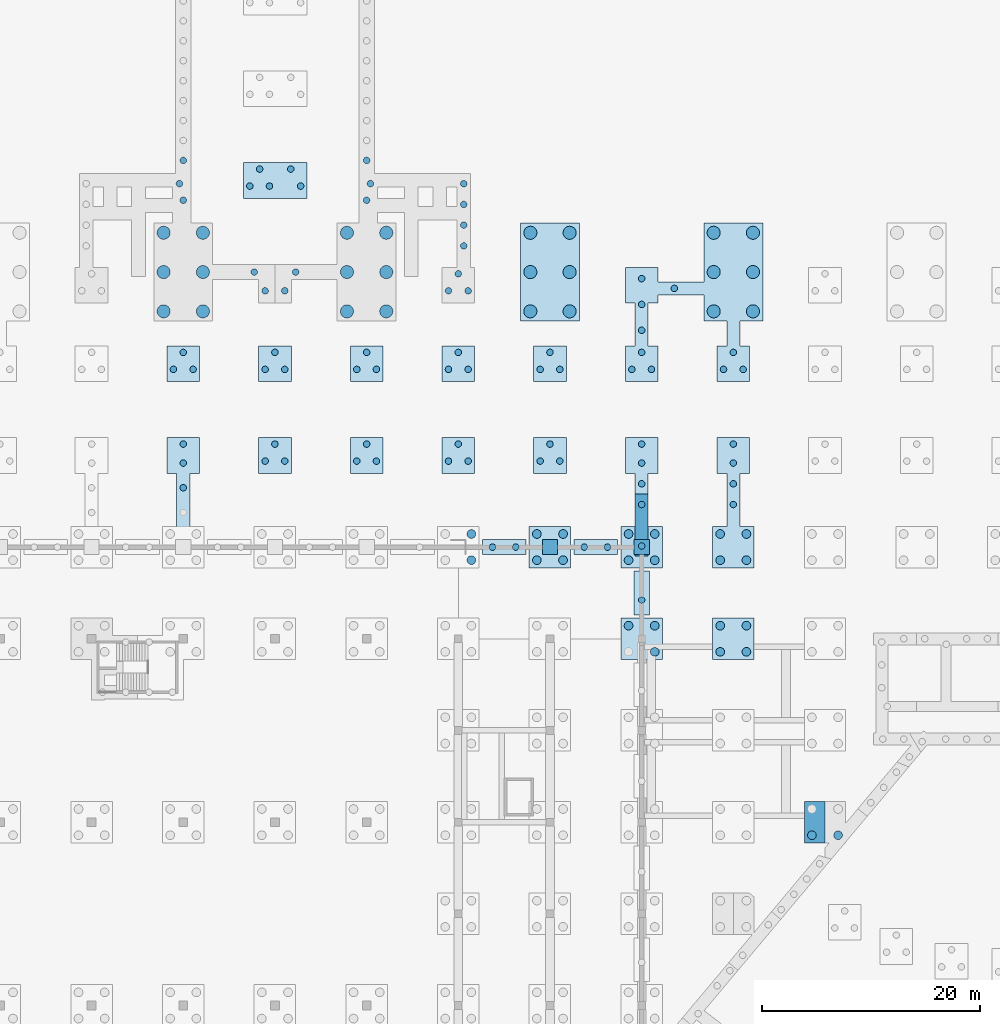
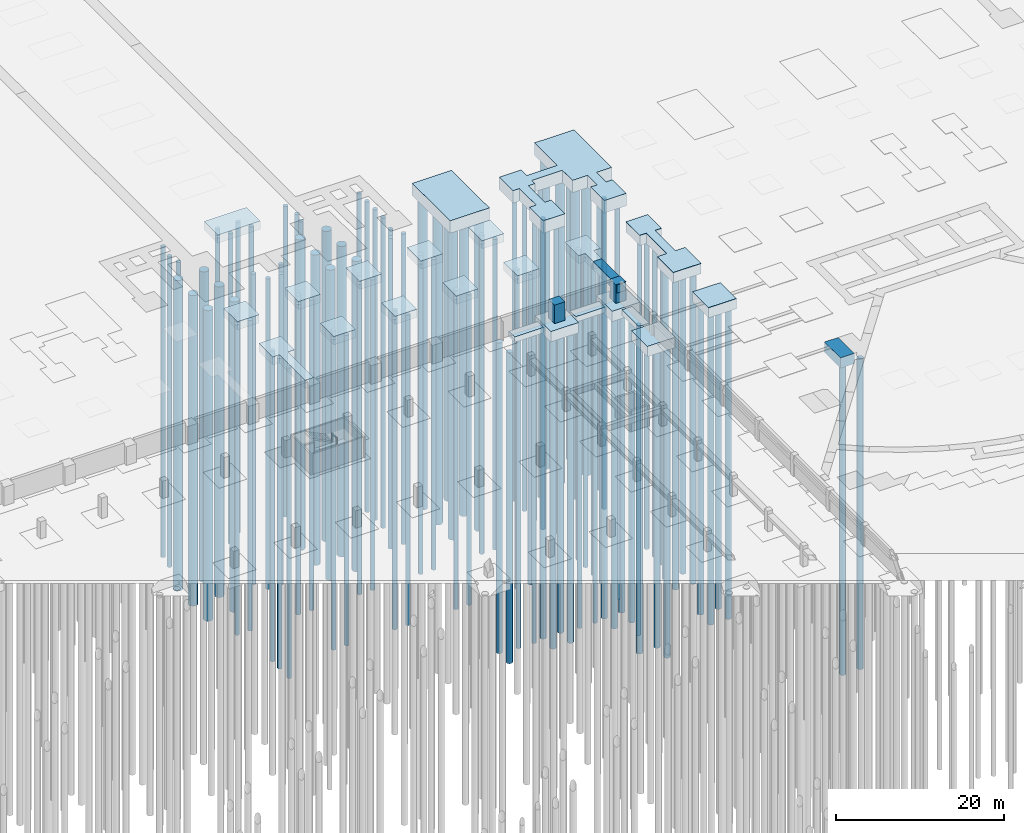
# One storey, part 10 of 67: 123 piles, 26 footings.
"""IFC4 building model written with IfcOpenShell, lengths in metres."""

import ifcopenshell
import ifcopenshell.guid

model = None  # the IFC model being written
_history = None  # IfcOwnerHistory: only IFC2X3 demands one
_inside = {}  # id of a spatial element -> (the spatial element, [elements in it])
_under = {}  # id of a project, library or spatial element -> (it, [spatial elements below it])
_declared = {}  # id of a project -> (the project, [libraries it declares])
_typed = {}  # id of a type object -> (the type object, [elements of that type])
_made_of = {}  # id of a material, layer set ... -> (it, [elements and type objects made of it])


def new_model(schema):
    """Start an empty IFC model of exactly this schema.

    Asked for "IFC4X3", IfcOpenShell would pick the latest addendum, in which some entities
    have other attributes; the version numbers below select the first issue.
    IFC2X3 requires an IfcOwnerHistory on every rooted entity: one is made here for all.
    """
    global model, _history
    if schema == "IFC4X3":
        model = ifcopenshell.file(schema_version=(4, 3, 0, 0))
    else:
        model = ifcopenshell.file(schema=schema)
    _inside.clear()
    _under.clear()
    _declared.clear()
    _typed.clear()
    _made_of.clear()
    _history = None
    if model.schema == "IFC2X3":
        org = make("IfcOrganization", Name="unknown")
        user = make(
            "IfcPersonAndOrganization",
            ThePerson=make("IfcPerson", FamilyName="unknown"),
            TheOrganization=org,
        )
        app = make(
            "IfcApplication",
            ApplicationDeveloper=org,
            Version="unknown",
            ApplicationFullName="unknown",
            ApplicationIdentifier="unknown",
        )
        _history = make(
            "IfcOwnerHistory",
            OwningUser=user,
            OwningApplication=app,
            ChangeAction="ADDED",
            CreationDate=0,
        )
    return model


def make(cls, **values):
    """One entity of the class cls with the attributes given. An attribute that is None is left unset."""
    return model.create_entity(
        cls, **{name: value for name, value in values.items() if value is not None}
    )


def rooted(cls, **values):
    """An entity with a GlobalId (a new one), such as an element, a storey or a relation."""
    return make(cls, GlobalId=ifcopenshell.guid.new(), OwnerHistory=_history, **values)


def si_unit(unit_type, name, prefix=None):
    """IfcSIUnit, for example si_unit("LENGTHUNIT", "METRE", prefix="MILLI")."""
    return make("IfcSIUnit", UnitType=unit_type, Prefix=prefix, Name=name)


def assignment(units):
    """IfcUnitAssignment: the units of a project."""
    return None if units is None else make("IfcUnitAssignment", Units=units)


def point(xyz):
    """IfcCartesianPoint."""
    return None if xyz is None else make("IfcCartesianPoint", Coordinates=xyz)


def direction(xyz):
    """IfcDirection."""
    return None if xyz is None else make("IfcDirection", DirectionRatios=xyz)


def frame(location, z_axis=None, x_axis=None):
    """IfcAxis2Placement3D, a coordinate frame: its origin and axes. An axis left out is left unset."""
    return make(
        "IfcAxis2Placement3D",
        Location=point(location),
        Axis=direction(z_axis),
        RefDirection=direction(x_axis),
    )


def frame_2d(location, x_axis=None):
    """IfcAxis2Placement2D, a coordinate frame in the plane: its origin and x axis."""
    return make(
        "IfcAxis2Placement2D", Location=point(location), RefDirection=direction(x_axis)
    )


def origin():
    """The frame at (0, 0, 0) with its axes left unset."""
    return frame((0.0, 0.0, 0.0))


def origin_2d():
    """The frame at (0, 0) in the plane with its x axis left unset."""
    return frame_2d((0.0, 0.0))


def place(relative_to, where):
    """IfcLocalPlacement: puts the frame where relative to a parent placement (None: the world)."""
    return make(
        "IfcLocalPlacement", PlacementRelTo=relative_to, RelativePlacement=where
    )


def context(
    kind, dimensions, precision=None, world=None, true_north=None, identifier=None
):
    """IfcGeometricRepresentationContext, for example the 3D "Model" context."""
    return make(
        "IfcGeometricRepresentationContext",
        ContextIdentifier=identifier,
        ContextType=kind,
        CoordinateSpaceDimension=dimensions,
        Precision=precision,
        WorldCoordinateSystem=world,
        TrueNorth=true_north,
    )


def subcontext(parent, identifier, kind, view, scale=None):
    """IfcGeometricRepresentationSubContext, for example "Body" below "Model"."""
    return make(
        "IfcGeometricRepresentationSubContext",
        ContextIdentifier=identifier,
        ContextType=kind,
        ParentContext=parent,
        TargetScale=scale,
        TargetView=view,
    )


def project(units=None, contexts=None):
    """IfcProject with its units and contexts."""
    return rooted(
        "IfcProject",
        Name="project",
        RepresentationContexts=contexts,
        UnitsInContext=assignment(units),
    )


def spatial(cls, under=None, at=None, **own):
    """A site, building, storey or space (cls), placed at a placement, below another one or the project."""
    s = rooted(cls, ObjectPlacement=at, **own)
    if under is not None:
        _under.setdefault(under.id(), (under, []))[1].append(s)
    return s


def polyline(points):
    """IfcPolyline through the points."""
    return make("IfcPolyline", Points=[point(p) for p in points])


def profile(cls, at=None, kind="AREA", **sizes):
    """A parametric profile (cls). Its sizes go by their IFC names, for example OverallWidth=200.0."""
    return make(cls, ProfileType=kind, Position=at, **sizes)


def circle(**sizes):
    """IfcCircleProfileDef."""
    return profile("IfcCircleProfileDef", **sizes)


def outline(outer, holes=None, kind="AREA"):
    """IfcArbitraryClosedProfileDef: a profile drawn as a closed curve; with holes, ...WithVoids."""
    if holes is None:
        return make("IfcArbitraryClosedProfileDef", ProfileType=kind, OuterCurve=outer)
    return make(
        "IfcArbitraryProfileDefWithVoids",
        ProfileType=kind,
        OuterCurve=outer,
        InnerCurves=holes,
    )


def extrude(swept, where, along, depth):
    """IfcExtrudedAreaSolid: the profile swept, set in the frame where, extruded along a direction by depth."""
    return make(
        "IfcExtrudedAreaSolid",
        SweptArea=swept,
        Position=where,
        ExtrudedDirection=direction(along),
        Depth=depth,
    )


def shape(context_of_items, identifier, shape_type, items):
    """IfcShapeRepresentation: the items that make up one representation, for example the "Body"."""
    return make(
        "IfcShapeRepresentation",
        ContextOfItems=context_of_items,
        RepresentationIdentifier=identifier,
        RepresentationType=shape_type,
        Items=items,
    )


def material(Name=None, Category=None):
    """IfcMaterial."""
    return make("IfcMaterial", Name=Name, Category=Category)


def material_profile(
    of_material, cross_section, Name=None, Category=None, Priority=None
):
    """IfcMaterialProfile: a cross section and its material."""
    return make(
        "IfcMaterialProfile",
        Name=Name,
        Material=of_material,
        Profile=cross_section,
        Priority=Priority,
        Category=Category,
    )


def profile_set(profiles, Name=None, composite=None):
    """IfcMaterialProfileSet."""
    return make(
        "IfcMaterialProfileSet",
        Name=Name,
        MaterialProfiles=profiles,
        CompositeProfile=composite,
    )


def made_of(thing, what):
    """Note that an element or type object is made of a material, layer set ...; save() writes the relation."""
    if what is not None:
        _made_of.setdefault(what.id(), (what, []))[1].append(thing)
    return thing


def type_object(cls, material=None, **own):
    """A type object (cls), such as IfcWallType, which elements share."""
    return made_of(rooted(cls, **own), material)


def element(
    cls,
    number,
    at=None,
    inside=None,
    cuts=None,
    type_object=None,
    material=None,
    context=None,
    identifier="Body",
    shape_type=None,
    held_by="IfcProductDefinitionShape",
    body=None,
    shapes=None,
    **own,
):
    """One element of the class cls, such as IfcWall. Its Tag is "e" and its number.

    at: its placement. inside: the storey or other place that contains it. cuts: it is an
    opening in that element (IfcRelVoidsElement). A single representation is given by context,
    identifier, shape_type and body (its items); several are given by shapes. held_by: the class
    of the entity that holds the representations. save() writes the other relations.
    """
    e = rooted(cls, Tag="e%d" % number, ObjectPlacement=at, **own)
    if body is not None:
        shapes = [shape(context, identifier, shape_type, body)]
    if shapes is not None:
        e.Representation = make(held_by, Representations=shapes)
    if inside is not None:
        _inside.setdefault(inside.id(), (inside, []))[1].append(e)
    if cuts is not None:
        rooted(
            "IfcRelVoidsElement", RelatingBuildingElement=cuts, RelatedOpeningElement=e
        )
    if type_object is not None:
        _typed.setdefault(type_object.id(), (type_object, []))[1].append(e)
    return made_of(e, material)


def aggregate(whole, parts):
    """IfcRelAggregates: a whole, such as a stair, and the parts it consists of."""
    return rooted("IfcRelAggregates", RelatingObject=whole, RelatedObjects=parts)


def save(model, path):
    """Write the relations noted so far, then the file.

    IfcRelAggregates (storeys below a building ...), IfcRelContainedInSpatialStructure (elements
    in a storey), IfcRelDefinesByType, IfcRelAssociatesMaterial and IfcRelDeclares: one each for
    every whole, place, type object, material and project.
    """
    for whole, parts in _under.values():
        aggregate(whole, parts)
    for where, things in _inside.values():
        rooted(
            "IfcRelContainedInSpatialStructure",
            RelatedElements=things,
            RelatingStructure=where,
        )
    for kind, things in _typed.values():
        rooted("IfcRelDefinesByType", RelatedObjects=things, RelatingType=kind)
    for what, things in _made_of.values():
        rooted("IfcRelAssociatesMaterial", RelatedObjects=things, RelatingMaterial=what)
    for by, libraries in _declared.values():
        rooted("IfcRelDeclares", RelatingContext=by, RelatedDefinitions=libraries)
    model.write(path)


model = new_model("IFC4")

# Units and contexts
model_context = context("Model", 3, precision=1e-05, world=origin(), true_north=direction((0.0, 1.0)))
body_context = subcontext(model_context, "Body", "Model", "MODEL_VIEW")
ifc_project = project(units=[si_unit("LENGTHUNIT", "METRE"), si_unit("AREAUNIT", "SQUARE_METRE"), si_unit("VOLUMEUNIT", "CUBIC_METRE"), si_unit("PLANEANGLEUNIT", "RADIAN"), si_unit("MASSUNIT", "GRAM", prefix="KILO")], contexts=[model_context])

# Site, building, storey
site_placement = place(None, origin())
site = spatial("IfcSite", under=ifc_project, at=site_placement, CompositionType="ELEMENT")
building_placement = place(site_placement, origin())
building = spatial("IfcBuilding", under=site, at=building_placement, Name="Rain Tree Exposition and Congress Centre", CompositionType="ELEMENT")
storey_placement = place(building_placement, frame((0.0, 0.0, -3.0)))
storey = spatial("IfcBuildingStorey", under=building, at=storey_placement, Name="B1", CompositionType="ELEMENT", Elevation=-3.0)

# Piles
ifc_material_1 = material(Name="Concrete C35/45", Category="concrete")
ifc_material_profile_1 = material_profile(ifc_material_1, circle(Radius=0.60009765625, at=origin_2d()), Name="D1200")
ifc_profile_set_1 = profile_set([ifc_material_profile_1], Name="Concrete C35/45")
pile_type_1 = type_object("IfcPileType", Name="Bored pile D1200", PredefinedType="BORED", material=ifc_profile_set_1)
for number, where, z_axis, x_axis, name in (
    (1, (124.199951171875, 97.199951171875, 0.92578125), (0.0, 0.0, -1.0), (1.0, 0.0, 0.0), "Bored pile 1749"),
    (2, (127.800048828125, 97.199951171875, 0.92578125), (0.0, 0.0, -1.0), (1.0, 0.0, 0.0), "Bored pile 1750"),
    (3, (124.199951171875, 100.800048828125, 0.92578125), (0.0, 0.0, -1.0), (1.0, 0.0, 0.0), "Bored pile 1755"),
    (4, (127.800048828125, 100.800048828125, 0.92578125), (0.0, 0.0, -1.0), (1.0, 0.0, 0.0), "Bored pile 1756"),
    (5, (124.199951171875, 104.39990234375, 0.92578125), (0.0, 0.0, -1.0), (1.0, 0.0, 0.0), "Bored pile 1759"),
    (6, (127.800048828125, 104.39990234375, 0.92578125), (0.0, 0.0, -1.0), (1.0, 0.0, 0.0), "Bored pile 1760"),
    (7, (141.0, 104.39990234375, 0.92578125), (0.0, 0.0, -1.0), (1.0, 0.0, 0.0), "Bored pile 1875"),
    (8, (144.60009765625, 104.39990234375, 0.92578125), (0.0, 0.0, -1.0), (1.0, 0.0, 0.0), "Bored pile 1876"),
    (9, (141.0, 100.800048828125, 0.92578125), (0.0, 0.0, -1.0), (1.0, 0.0, 0.0), "Bored pile 1878"),
    (10, (144.60009765625, 100.800048828125, 0.92578125), (0.0, 0.0, -1.0), (1.0, 0.0, 0.0), "Bored pile 1879"),
    (11, (141.0, 97.199951171875, 0.92578125), (0.0, 0.0, -1.0), (1.0, 0.0, 0.0), "Bored pile 1885"),
    (12, (144.60009765625, 97.199951171875, 0.92578125), (0.0, 0.0, -1.0), (1.0, 0.0, 0.0), "Bored pile 1886"),
    (13, (174.60009765625, 97.199951171875, 0.92578125), (0.0, 0.0, -1.0), (1.0, 0.0, 0.0), "Bored pile 2008"),
    (14, (178.199951171875, 97.199951171875, 0.92578125), (0.0, 0.0, -1.0), (1.0, 0.0, 0.0), "Bored pile 2009"),
    (15, (174.60009765625, 100.800048828125, 0.92578125), (0.0, 0.0, -1.0), (1.0, 0.0, 0.0), "Bored pile 2010"),
    (16, (178.199951171875, 100.800048828125, 0.92578125), (0.0, 0.0, -1.0), (1.0, 0.0, 0.0), "Bored pile 2011"),
    (17, (174.60009765625, 104.39990234375, 0.92578125), (0.0, 0.0, -1.0), (1.0, 0.0, 0.0), "Bored pile 2012"),
    (18, (178.199951171875, 104.39990234375, 0.92578125), (0.0, 0.0, -1.0), (1.0, 0.0, 0.0), "Bored pile 2013"),
    (19, (157.800048828125, 97.199951171875, 0.92578125), (0.0, 0.0, -1.0), (1.0, 0.0, 0.0), "Bored pile 2030"),
    (20, (161.39990234375, 97.199951171875, 0.92578125), (0.0, 0.0, -1.0), (1.0, 0.0, 0.0), "Bored pile 2031"),
    (21, (157.800048828125, 100.800048828125, 0.92578125), (0.0, 0.0, -1.0), (1.0, 0.0, 0.0), "Bored pile 2032"),
    (22, (161.39990234375, 100.800048828125, 0.92578125), (0.0, 0.0, -1.0), (1.0, 0.0, 0.0), "Bored pile 2033"),
    (23, (157.800048828125, 104.39990234375, 0.92578125), (0.0, 0.0, -1.0), (1.0, 0.0, 0.0), "Bored pile 2034"),
    (24, (161.39990234375, 104.39990234375, 0.92578125), (0.0, 0.0, -1.0), (1.0, 0.0, 0.0), "Bored pile 2035"),
):
    element("IfcPile", number, at=place(storey_placement, frame(where, z_axis=z_axis, x_axis=x_axis)), inside=storey, type_object=pile_type_1, Name=name, PredefinedType="BORED", context=body_context, shape_type="SweptSolid", body=[
        extrude(circle(Radius=0.60009765625, at=origin_2d()), origin(), (0.0, 0.0, 1.0), 45.074951171875),
    ])
ifc_material_2 = material(Name="Concrete C35/45", Category="concrete")
ifc_material_profile_2 = material_profile(ifc_material_2, circle(Radius=0.300048828125, at=origin_2d()), Name="D600")
ifc_profile_set_2 = profile_set([ifc_material_profile_2], Name="Concrete C35/45")
pile_type_2 = type_object("IfcPileType", Name="Bored pile D600", PredefinedType="BORED", material=ifc_profile_set_2)
for number, where, z_axis, x_axis, name in (
    (25, (132.10009765625, 108.680419921875, 1.52490234375), (0.0, 0.0, -1.0), (1.0, 0.0, 0.0), "Bored pile 1534"),
    (26, (133.89990234375, 108.680419921875, 1.52490234375), (0.0, 0.0, -1.0), (1.0, 0.0, 0.0), "Bored pile 1535"),
    (27, (133.0, 110.2392578125, 1.52490234375), (0.0, 0.0, -1.0), (1.0, 0.0, 0.0), "Bored pile 1536"),
    (28, (136.75, 108.680419921875, 1.52490234375), (0.0, 0.0, -1.0), (1.0, 0.0, 0.0), "Bored pile 1537"),
    (29, (135.85009765625, 110.2392578125, 1.52490234375), (0.0, 0.0, -1.0), (1.0, 0.0, 0.0), "Bored pile 1538"),
    (30, (133.5, 99.080322265625, 0.92578125), (0.0, 0.0, -1.0), (1.0, 0.0, 0.0), "Bored pile 1753"),
    (31, (132.5, 100.800048828125, 0.92578125), (0.0, 0.0, -1.0), (1.0, 0.0, 0.0), "Bored pile 1757"),
    (32, (126.0, 107.377685546875, 0.92578125), (0.0, 0.0, -1.0), (1.0, 0.0, 0.0), "Bored pile 1763"),
    (33, (125.64990234375, 108.89990234375, 0.92578125), (0.0, 0.0, -1.0), (1.0, 0.0, 0.0), "Bored pile 1765"),
    (34, (126.0, 111.029541015625, 0.92578125), (0.0, 0.0, -1.0), (1.0, 0.0, 0.0), "Bored pile 1766"),
    (35, (142.800048828125, 111.029541015625, 0.92578125), (0.0, 0.0, -1.0), (1.0, 0.0, 0.0), "Bored pile 1869"),
    (36, (151.699951171875, 108.89990234375, 0.92578125), (0.0, 0.0, -1.0), (1.0, 0.0, 0.0), "Bored pile 1870"),
    (37, (143.14990234375, 108.89990234375, 0.92578125), (0.0, 0.0, -1.0), (1.0, 0.0, 0.0), "Bored pile 1871"),
    (38, (142.800048828125, 107.377685546875, 0.92578125), (0.0, 0.0, -1.0), (1.0, 0.0, 0.0), "Bored pile 1872"),
    (39, (151.699951171875, 107.0, 0.92578125), (0.0, 0.0, -1.0), (1.0, 0.0, 0.0), "Bored pile 1873"),
    (40, (151.699951171875, 105.10009765625, 0.92578125), (0.0, 0.0, -1.0), (1.0, 0.0, 0.0), "Bored pile 1874"),
    (41, (151.699951171875, 103.199951171875, 0.92578125), (0.0, 0.0, -1.0), (1.0, 0.0, 0.0), "Bored pile 1877"),
    (42, (136.300048828125, 100.800048828125, 0.92578125), (0.0, 0.0, -1.0), (1.0, 0.0, 0.0), "Bored pile 1880"),
    (43, (151.199951171875, 100.639404296875, 0.92578125), (0.0, 0.0, -1.0), (1.0, 0.0, 0.0), "Bored pile 1881"),
    (44, (135.300048828125, 99.080322265625, 0.92578125), (0.0, 0.0, -1.0), (1.0, 0.0, 0.0), "Bored pile 1882"),
    (45, (150.300048828125, 99.080322265625, 0.92578125), (0.0, 0.0, -1.0), (1.0, 0.0, 0.0), "Bored pile 1883"),
    (46, (152.10009765625, 99.080322265625, 0.92578125), (0.0, 0.0, -1.0), (1.0, 0.0, 0.0), "Bored pile 1884"),
    (47, (167.10009765625, 91.88037109375, 0.92578125), (0.0, 0.0, -1.0), (1.0, 0.0, 0.0), "Bored pile 2014"),
    (48, (168.89990234375, 91.88037109375, 0.92578125), (0.0, 0.0, -1.0), (1.0, 0.0, 0.0), "Bored pile 2015"),
    (49, (168.0, 93.439208984375, 0.92578125), (0.0, 0.0, -1.0), (1.0, 0.0, 0.0), "Bored pile 2016"),
    (50, (175.5, 91.88037109375, 0.92578125), (0.0, 0.0, -1.0), (1.0, 0.0, 0.0), "Bored pile 2017"),
    (51, (177.300048828125, 91.88037109375, 0.92578125), (0.0, 0.0, -1.0), (1.0, 0.0, 0.0), "Bored pile 2018"),
    (52, (176.39990234375, 93.439208984375, 0.92578125), (0.0, 0.0, -1.0), (1.0, 0.0, 0.0), "Bored pile 2019"),
    (53, (168.0, 100.199951171875, 0.92578125), (0.0, 0.0, -1.0), (1.0, 0.0, 0.0), "Bored pile 2020"),
    (54, (168.0, 97.833251953125, 0.92578125), (0.0, 0.0, -1.0), (1.0, 0.0, 0.0), "Bored pile 2021"),
    (55, (168.0, 95.466796875, 0.92578125), (0.0, 0.0, -1.0), (1.0, 0.0, 0.0), "Bored pile 2022"),
    (56, (171.0, 99.300048828125, 0.92578125), (0.0, 0.0, -1.0), (1.0, 0.0, 0.0), "Bored pile 2023"),
    (57, (176.39990234375, 79.5, 1.27490234375), (0.0, 0.0, -1.0), (1.0, 0.0, 0.0), "Bored pile 2236"),
    (58, (176.39990234375, 81.39990234375, 1.27490234375), (0.0, 0.0, -1.0), (1.0, 0.0, 0.0), "Bored pile 2237"),
    (59, (176.39990234375, 83.300048828125, 1.27490234375), (0.0, 0.0, -1.0), (1.0, 0.0, 0.0), "Bored pile 2238"),
    (60, (176.39990234375, 85.039306640625, 1.27490234375), (0.0, 0.0, -1.0), (1.0, 0.0, 0.0), "Bored pile 2239"),
    (61, (168.0, 75.699951171875, 1.574951171875), (0.0, 0.0, -1.0), (1.0, 0.0, 0.0), "Bored pile 2240"),
    (62, (168.0, 79.5, 1.574951171875), (0.0, 0.0, -1.0), (1.0, 0.0, 0.0), "Bored pile 2241"),
    (63, (168.0, 81.39990234375, 1.574951171875), (0.0, 0.0, -1.0), (1.0, 0.0, 0.0), "Bored pile 2242"),
    (64, (168.0, 83.300048828125, 1.574951171875), (0.0, 0.0, -1.0), (1.0, 0.0, 0.0), "Bored pile 2243"),
    (65, (168.0, 85.039306640625, 1.574951171875), (0.0, 0.0, -1.0), (1.0, 0.0, 0.0), "Bored pile 2244"),
    (66, (126.0, 81.033203125, 1.574951171875), (0.0, 0.0, -1.0), (1.0, 0.0, 0.0), "Bored pile 2250"),
    (67, (126.0, 83.300048828125, 1.574951171875), (0.0, 0.0, -1.0), (1.0, 0.0, 0.0), "Bored pile 2251"),
    (68, (126.0, 85.039306640625, 1.574951171875), (0.0, 0.0, -1.0), (1.0, 0.0, 0.0), "Bored pile 2252"),
    (69, (133.5, 83.480224609375, 1.574951171875), (0.0, 0.0, -1.0), (1.0, 0.0, 0.0), "Bored pile 2253"),
    (70, (135.300048828125, 83.480224609375, 1.574951171875), (0.0, 0.0, -1.0), (1.0, 0.0, 0.0), "Bored pile 2254"),
    (71, (134.39990234375, 85.039306640625, 1.574951171875), (0.0, 0.0, -1.0), (1.0, 0.0, 0.0), "Bored pile 2255"),
    (72, (141.89990234375, 83.480224609375, 1.574951171875), (0.0, 0.0, -1.0), (1.0, 0.0, 0.0), "Bored pile 2256"),
    (73, (143.699951171875, 83.480224609375, 1.574951171875), (0.0, 0.0, -1.0), (1.0, 0.0, 0.0), "Bored pile 2257"),
    (74, (142.800048828125, 85.039306640625, 1.574951171875), (0.0, 0.0, -1.0), (1.0, 0.0, 0.0), "Bored pile 2258"),
    (75, (150.300048828125, 83.480224609375, 1.574951171875), (0.0, 0.0, -1.0), (1.0, 0.0, 0.0), "Bored pile 2262"),
    (76, (152.10009765625, 83.480224609375, 1.574951171875), (0.0, 0.0, -1.0), (1.0, 0.0, 0.0), "Bored pile 2263"),
    (77, (151.199951171875, 85.039306640625, 1.574951171875), (0.0, 0.0, -1.0), (1.0, 0.0, 0.0), "Bored pile 2264"),
    (78, (158.699951171875, 83.480224609375, 1.574951171875), (0.0, 0.0, -1.0), (1.0, 0.0, 0.0), "Bored pile 2265"),
    (79, (160.5, 83.480224609375, 1.574951171875), (0.0, 0.0, -1.0), (1.0, 0.0, 0.0), "Bored pile 2266"),
    (80, (159.60009765625, 85.039306640625, 1.574951171875), (0.0, 0.0, -1.0), (1.0, 0.0, 0.0), "Bored pile 2267"),
    (81, (150.300048828125, 91.88037109375, 1.574951171875), (0.0, 0.0, -1.0), (1.0, 0.0, 0.0), "Bored pile 2268"),
    (82, (152.10009765625, 91.88037109375, 1.574951171875), (0.0, 0.0, -1.0), (1.0, 0.0, 0.0), "Bored pile 2269"),
    (83, (151.199951171875, 93.439208984375, 1.574951171875), (0.0, 0.0, -1.0), (1.0, 0.0, 0.0), "Bored pile 2270"),
    (84, (158.699951171875, 91.88037109375, 1.574951171875), (0.0, 0.0, -1.0), (1.0, 0.0, 0.0), "Bored pile 2271"),
    (85, (160.5, 91.88037109375, 1.574951171875), (0.0, 0.0, -1.0), (1.0, 0.0, 0.0), "Bored pile 2272"),
    (86, (159.60009765625, 93.439208984375, 1.574951171875), (0.0, 0.0, -1.0), (1.0, 0.0, 0.0), "Bored pile 2273"),
    (87, (141.89990234375, 91.88037109375, 1.574951171875), (0.0, 0.0, -1.0), (1.0, 0.0, 0.0), "Bored pile 2274"),
    (88, (143.699951171875, 91.88037109375, 1.574951171875), (0.0, 0.0, -1.0), (1.0, 0.0, 0.0), "Bored pile 2275"),
    (89, (142.800048828125, 93.439208984375, 1.574951171875), (0.0, 0.0, -1.0), (1.0, 0.0, 0.0), "Bored pile 2276"),
    (90, (133.5, 91.88037109375, 1.574951171875), (0.0, 0.0, -1.0), (1.0, 0.0, 0.0), "Bored pile 2277"),
    (91, (135.300048828125, 91.88037109375, 1.574951171875), (0.0, 0.0, -1.0), (1.0, 0.0, 0.0), "Bored pile 2278"),
    (92, (134.39990234375, 93.439208984375, 1.574951171875), (0.0, 0.0, -1.0), (1.0, 0.0, 0.0), "Bored pile 2279"),
    (93, (125.10009765625, 91.88037109375, 1.574951171875), (0.0, 0.0, -1.0), (1.0, 0.0, 0.0), "Bored pile 2280"),
    (94, (126.89990234375, 91.88037109375, 1.574951171875), (0.0, 0.0, -1.0), (1.0, 0.0, 0.0), "Bored pile 2281"),
    (95, (126.0, 93.439208984375, 1.574951171875), (0.0, 0.0, -1.0), (1.0, 0.0, 0.0), "Bored pile 2282"),
    (96, (168.0, 70.75, -0.72509765625), (0.0, 0.0, -1.0), (1.0, 0.0, 0.0), "Bored pile 2447"),
    (97, (164.86669921875, 75.60009765625, -0.72509765625), (0.0, 0.0, -1.0), (1.0, 0.0, 0.0), "Bored pile 2448"),
    (98, (162.7333984375, 75.60009765625, -0.72509765625), (0.0, 0.0, -1.0), (1.0, 0.0, 0.0), "Bored pile 2449"),
    (99, (156.466796875, 75.60009765625, -0.72509765625), (0.0, 0.0, -1.0), (1.0, 0.0, 0.0), "Bored pile 2450"),
    (100, (154.333251953125, 75.60009765625, -0.72509765625), (0.0, 0.0, -1.0), (1.0, 0.0, 0.0), "Bored pile 2451"),
):
    element("IfcPile", number, at=place(storey_placement, frame(where, z_axis=z_axis, x_axis=x_axis)), inside=storey, type_object=pile_type_2, Name=name, PredefinedType="BORED", context=body_context, shape_type="SweptSolid", body=[
        extrude(circle(Radius=0.300048828125, at=origin_2d()), origin(), (0.0, 0.0, 1.0), 45.074951171875),
    ])
ifc_material_3 = material(Name="Concrete C35/45", Category="concrete")
ifc_material_profile_3 = material_profile(ifc_material_3, circle(Radius=0.39990234375, at=origin_2d()), Name="D800")
ifc_profile_set_3 = profile_set([ifc_material_profile_3], Name="Concrete C35/45")
pile_type_3 = type_object("IfcPileType", Name="Bored pile D800", PredefinedType="BORED", material=ifc_profile_set_3)
for number, where, z_axis, x_axis, name in (
    (101, (152.39990234375, 74.39990234375, -1.425048828125), (0.0, 0.0, -1.0), (1.0, 0.0, 0.0), "Bored pile 0998"),
    (102, (152.39990234375, 76.800048828125, -1.425048828125), (0.0, 0.0, -1.0), (1.0, 0.0, 0.0), "Bored pile 1000"),
    (103, (158.39990234375, 74.39990234375, -1.425048828125), (0.0, 0.0, -1.0), (1.0, 0.0, 0.0), "Bored pile 1005"),
    (104, (160.800048828125, 74.39990234375, -1.425048828125), (0.0, 0.0, -1.0), (1.0, 0.0, 0.0), "Bored pile 1006"),
    (105, (158.39990234375, 76.800048828125, -1.425048828125), (0.0, 0.0, -1.0), (1.0, 0.0, 0.0), "Bored pile 1007"),
    (106, (160.800048828125, 76.800048828125, -1.425048828125), (0.0, 0.0, -1.0), (1.0, 0.0, 0.0), "Bored pile 1008"),
    (107, (169.199951171875, 66.0, -1.425048828125), (0.0, 0.0, -1.0), (1.0, 0.0, 0.0), "Bored pile 1135"),
    (108, (166.800048828125, 68.39990234375, -1.425048828125), (0.0, 0.0, -1.0), (1.0, 0.0, 0.0), "Bored pile 1136"),
    (109, (169.199951171875, 68.39990234375, -1.425048828125), (0.0, 0.0, -1.0), (1.0, 0.0, 0.0), "Bored pile 1137"),
    (110, (166.800048828125, 74.39990234375, -1.425048828125), (0.0, 0.0, -1.0), (1.0, 0.0, 0.0), "Bored pile 1138"),
    (111, (169.199951171875, 74.39990234375, -1.425048828125), (0.0, 0.0, -1.0), (1.0, 0.0, 0.0), "Bored pile 1139"),
    (112, (166.800048828125, 76.800048828125, -1.425048828125), (0.0, 0.0, -1.0), (1.0, 0.0, 0.0), "Bored pile 1140"),
    (113, (169.199951171875, 76.800048828125, -1.425048828125), (0.0, 0.0, -1.0), (1.0, 0.0, 0.0), "Bored pile 1141"),
    (114, (183.60009765625, 49.199951171875, 1.2255859375), (0.0, 0.0, -1.0), (1.0, 0.0, 0.0), "Bored pile 1906"),
    (115, (186.0, 49.199951171875, 1.2255859375), (0.0, 0.0, -1.0), (1.0, 0.0, 0.0), "Bored pile 1908"),
    (116, (175.199951171875, 66.0, 1.27490234375), (0.0, 0.0, -1.0), (1.0, 0.0, 0.0), "Bored pile 2228"),
    (117, (177.60009765625, 66.0, 1.27490234375), (0.0, 0.0, -1.0), (1.0, 0.0, 0.0), "Bored pile 2229"),
    (118, (175.199951171875, 68.39990234375, 1.27490234375), (0.0, 0.0, -1.0), (1.0, 0.0, 0.0), "Bored pile 2230"),
    (119, (177.60009765625, 68.39990234375, 1.27490234375), (0.0, 0.0, -1.0), (1.0, 0.0, 0.0), "Bored pile 2231"),
    (120, (175.199951171875, 74.39990234375, 1.27490234375), (0.0, 0.0, -1.0), (1.0, 0.0, 0.0), "Bored pile 2232"),
    (121, (177.60009765625, 74.39990234375, 1.27490234375), (0.0, 0.0, -1.0), (1.0, 0.0, 0.0), "Bored pile 2233"),
    (122, (175.199951171875, 76.800048828125, 1.27490234375), (0.0, 0.0, -1.0), (1.0, 0.0, 0.0), "Bored pile 2234"),
    (123, (177.60009765625, 76.800048828125, 1.27490234375), (0.0, 0.0, -1.0), (1.0, 0.0, 0.0), "Bored pile 2235"),
):
    element("IfcPile", number, at=place(storey_placement, frame(where, z_axis=z_axis, x_axis=x_axis)), inside=storey, type_object=pile_type_3, Name=name, PredefinedType="BORED", context=body_context, shape_type="SweptSolid", body=[
        extrude(circle(Radius=0.39990234375, at=origin_2d()), origin(), (0.0, 0.0, 1.0), 45.074951171875),
    ])

# Footings
ifc_material_4 = material(Name="Concrete C35/45", Category="concrete")
footing_type_1 = type_object("IfcFootingType", Name="Pier cap 2700 thick", PredefinedType="PILE_CAP", material=ifc_material_4)
footing_1_placement = place(storey_placement, origin())
element("IfcFooting", 124, at=footing_1_placement, inside=storey, type_object=footing_type_1, Name="Pier cap 048", PredefinedType="PILE_CAP", context=body_context, shape_type="SweptSolid", body=[
    extrude(outline(polyline([(158.89990234375, 76.300048828125), (158.89990234375, 74.89990234375), (160.300048828125, 74.89990234375), (160.300048828125, 76.300048828125), (158.89990234375, 76.300048828125)])), origin(), (0.0, 0.0, 1.0), 2.699951171875),
])
footing_2_placement = place(storey_placement, origin())
element("IfcFooting", 125, at=footing_2_placement, inside=storey, type_object=footing_type_1, Name="Pier cap 049", PredefinedType="PILE_CAP", context=body_context, shape_type="SweptSolid", body=[
    extrude(outline(polyline([(167.300048828125, 76.300048828125), (167.300048828125, 74.89990234375), (168.699951171875, 74.89990234375), (168.699951171875, 76.300048828125), (167.300048828125, 76.300048828125)])), origin(), (0.0, 0.0, 1.0), 2.699951171875),
])
ifc_material_5 = material(Name="Concrete C35/45", Category="concrete")
footing_type_2 = type_object("IfcFootingType", Name="Pile cap 1200 thick", PredefinedType="PILE_CAP", material=ifc_material_5)
footing_3_placement = place(storey_placement, frame((0.0, 0.0, 1.449951171875)))
element("IfcFooting", 126, at=footing_3_placement, inside=storey, type_object=footing_type_2, Name="Pile cap 292", PredefinedType="PILE_CAP", context=body_context, shape_type="SweptSolid", body=[
    extrude(outline(polyline([(134.5, 110.83935546875), (134.35009765625, 110.83935546875), (131.5, 110.83935546875), (131.5, 107.560791015625), (134.35009765625, 107.560791015625), (134.5, 107.560791015625), (137.35009765625, 107.560791015625), (137.35009765625, 110.83935546875), (134.5, 110.83935546875)])), origin(), (0.0, 0.0, 1.0), 1.199951171875),
])
footing_4_placement = place(storey_placement, frame((0.0, 0.0, 1.5)))
element("IfcFooting", 127, at=footing_4_placement, inside=storey, type_object=footing_type_2, Name="Pile cap 333", PredefinedType="PILE_CAP", context=body_context, shape_type="SweptSolid", body=[
    extrude(outline(polyline([(135.89990234375, 82.360595703125), (135.89990234375, 85.639404296875), (132.89990234375, 85.639404296875), (132.89990234375, 82.360595703125), (135.89990234375, 82.360595703125)])), origin(), (0.0, 0.0, 1.0), 1.199951171875),
])
footing_5_placement = place(storey_placement, frame((0.0, 0.0, 1.5)))
element("IfcFooting", 128, at=footing_5_placement, inside=storey, type_object=footing_type_2, Name="Pile cap 334", PredefinedType="PILE_CAP", context=body_context, shape_type="SweptSolid", body=[
    extrude(outline(polyline([(144.300048828125, 82.360595703125), (144.300048828125, 85.639404296875), (141.300048828125, 85.639404296875), (141.300048828125, 82.360595703125), (144.300048828125, 82.360595703125)])), origin(), (0.0, 0.0, 1.0), 1.199951171875),
])
footing_6_placement = place(storey_placement, frame((0.0, 0.0, 1.5)))
element("IfcFooting", 129, at=footing_6_placement, inside=storey, type_object=footing_type_2, Name="Pile cap 336", PredefinedType="PILE_CAP", context=body_context, shape_type="SweptSolid", body=[
    extrude(outline(polyline([(152.699951171875, 82.360595703125), (152.699951171875, 85.639404296875), (149.699951171875, 85.639404296875), (149.699951171875, 82.360595703125), (152.699951171875, 82.360595703125)])), origin(), (0.0, 0.0, 1.0), 1.199951171875),
])
footing_7_placement = place(storey_placement, frame((0.0, 0.0, 1.5)))
element("IfcFooting", 130, at=footing_7_placement, inside=storey, type_object=footing_type_2, Name="Pile cap 337", PredefinedType="PILE_CAP", context=body_context, shape_type="SweptSolid", body=[
    extrude(outline(polyline([(161.10009765625, 82.360595703125), (161.10009765625, 85.639404296875), (158.10009765625, 85.639404296875), (158.10009765625, 82.360595703125), (161.10009765625, 82.360595703125)])), origin(), (0.0, 0.0, 1.0), 1.199951171875),
])
footing_8_placement = place(storey_placement, frame((0.0, 0.0, 1.5)))
element("IfcFooting", 131, at=footing_8_placement, inside=storey, type_object=footing_type_2, Name="Pile cap 338", PredefinedType="PILE_CAP", context=body_context, shape_type="SweptSolid", body=[
    extrude(outline(polyline([(152.699951171875, 90.7607421875), (152.699951171875, 94.039306640625), (149.699951171875, 94.039306640625), (149.699951171875, 90.7607421875), (152.699951171875, 90.7607421875)])), origin(), (0.0, 0.0, 1.0), 1.199951171875),
])
footing_9_placement = place(storey_placement, frame((0.0, 0.0, 1.5)))
element("IfcFooting", 132, at=footing_9_placement, inside=storey, type_object=footing_type_2, Name="Pile cap 339", PredefinedType="PILE_CAP", context=body_context, shape_type="SweptSolid", body=[
    extrude(outline(polyline([(161.10009765625, 90.7607421875), (161.10009765625, 94.039306640625), (158.10009765625, 94.039306640625), (158.10009765625, 90.7607421875), (161.10009765625, 90.7607421875)])), origin(), (0.0, 0.0, 1.0), 1.199951171875),
])
footing_10_placement = place(storey_placement, frame((0.0, 0.0, 1.5)))
element("IfcFooting", 133, at=footing_10_placement, inside=storey, type_object=footing_type_2, Name="Pile cap 340", PredefinedType="PILE_CAP", context=body_context, shape_type="SweptSolid", body=[
    extrude(outline(polyline([(144.300048828125, 90.7607421875), (144.300048828125, 94.039306640625), (141.300048828125, 94.039306640625), (141.300048828125, 90.7607421875), (144.300048828125, 90.7607421875)])), origin(), (0.0, 0.0, 1.0), 1.199951171875),
])
footing_11_placement = place(storey_placement, frame((0.0, 0.0, 1.5)))
element("IfcFooting", 134, at=footing_11_placement, inside=storey, type_object=footing_type_2, Name="Pile cap 341", PredefinedType="PILE_CAP", context=body_context, shape_type="SweptSolid", body=[
    extrude(outline(polyline([(135.89990234375, 90.7607421875), (135.89990234375, 94.039306640625), (132.89990234375, 94.039306640625), (132.89990234375, 90.7607421875), (135.89990234375, 90.7607421875)])), origin(), (0.0, 0.0, 1.0), 1.199951171875),
])
footing_12_placement = place(storey_placement, frame((0.0, 0.0, 1.5)))
element("IfcFooting", 135, at=footing_12_placement, inside=storey, type_object=footing_type_2, Name="Pile cap 342", PredefinedType="PILE_CAP", context=body_context, shape_type="SweptSolid", body=[
    extrude(outline(polyline([(127.5, 90.7607421875), (127.5, 94.039306640625), (124.5, 94.039306640625), (124.5, 90.7607421875), (127.5, 90.7607421875)])), origin(), (0.0, 0.0, 1.0), 1.199951171875),
])
ifc_material_6 = material(Name="Concrete C35/45", Category="concrete")
footing_type_3 = type_object("IfcFootingType", Name="Pile cap 1500 thick", PredefinedType="PILE_CAP", material=ifc_material_6)
footing_13_placement = place(storey_placement, frame((0.0, 0.0, -1.5)))
element("IfcFooting", 136, at=footing_13_placement, inside=storey, type_object=footing_type_3, Name="Pile cap 194", PredefinedType="PILE_CAP", context=body_context, shape_type="SweptSolid", body=[
    extrude(outline(polyline([(161.5, 73.699951171875), (161.5, 77.5), (157.699951171875, 77.5), (157.699951171875, 73.699951171875), (161.5, 73.699951171875)])), origin(), (0.0, 0.0, 1.0), 1.5),
])
footing_14_placement = place(storey_placement, frame((0.0, 0.0, -1.5)))
element("IfcFooting", 137, at=footing_14_placement, inside=storey, type_object=footing_type_3, Name="Pile cap 225", PredefinedType="PILE_CAP", context=body_context, shape_type="SweptSolid", body=[
    extrude(outline(polyline([(169.89990234375, 65.300048828125), (169.89990234375, 69.10009765625), (166.10009765625, 69.10009765625), (166.10009765625, 65.300048828125), (169.89990234375, 65.300048828125)])), origin(), (0.0, 0.0, 1.0), 1.5),
])
footing_15_placement = place(storey_placement, frame((0.0, 0.0, -1.5)))
element("IfcFooting", 138, at=footing_15_placement, inside=storey, type_object=footing_type_3, Name="Pile cap 226", PredefinedType="PILE_CAP", context=body_context, shape_type="SweptSolid", body=[
    extrude(outline(polyline([(169.89990234375, 73.699951171875), (169.89990234375, 77.5), (166.10009765625, 77.5), (166.10009765625, 73.699951171875), (169.89990234375, 73.699951171875)])), origin(), (0.0, 0.0, 1.0), 1.5),
])
footing_16_placement = place(storey_placement, frame((0.0, 0.0, 1.199951171875)))
element("IfcFooting", 139, at=footing_16_placement, inside=storey, type_object=footing_type_3, Name="Pile cap 332", PredefinedType="PILE_CAP", context=body_context, shape_type="SweptSolid", body=[
    extrude(outline(polyline([(178.300048828125, 65.300048828125), (178.300048828125, 69.10009765625), (174.5, 69.10009765625), (174.5, 65.300048828125), (178.300048828125, 65.300048828125)])), origin(), (0.0, 0.0, 1.0), 1.5),
])
ifc_material_7 = material(Name="Concrete C35/45", Category="concrete")
footing_type_4 = type_object("IfcFootingType", Name="Pile cap 1800 thick", PredefinedType="PILE_CAP", material=ifc_material_7)
footing_17_placement = place(storey_placement, frame((0.0, 0.0, 0.8505859375)))
element("IfcFooting", 140, at=footing_17_placement, inside=storey, type_object=footing_type_4, Name="Pile cap 312", PredefinedType="PILE_CAP", context=body_context, shape_type="SweptSolid", body=[
    extrude(outline(polyline([(156.89990234375, 96.300048828125), (162.300048828125, 96.300048828125), (162.300048828125, 105.300048828125), (156.89990234375, 105.300048828125), (156.89990234375, 96.300048828125)])), origin(), (0.0, 0.0, 1.0), 1.800048828125),
])
ifc_material_8 = material(Name="Concrete C35/45", Category="concrete")
footing_type_5 = type_object("IfcFootingType", Name="Strip footing 1200 thick", PredefinedType="STRIP_FOOTING", material=ifc_material_8)
footing_18_placement = place(storey_placement, frame((0.0, 0.0, 1.5)))
element("IfcFooting", 141, at=footing_18_placement, inside=storey, type_object=footing_type_5, Name="Strip footing 095", PredefinedType="STRIP_FOOTING", context=body_context, shape_type="SweptSolid", body=[
    extrude(outline(polyline([(168.60009765625, 74.800048828125), (168.60009765625, 75.39990234375), (168.60009765625, 80.449951171875), (167.39990234375, 80.449951171875), (167.39990234375, 74.800048828125), (168.60009765625, 74.800048828125)])), origin(), (0.0, 0.0, 1.0), 1.199951171875),
])
footing_19_placement = place(storey_placement, frame((0.0, 0.0, 1.5)))
element("IfcFooting", 142, at=footing_19_placement, inside=storey, type_object=footing_type_5, Name="Strip footing 096", PredefinedType="STRIP_FOOTING", context=body_context, shape_type="SweptSolid", body=[
    extrude(outline(polyline([(167.39990234375, 82.360595703125), (167.39990234375, 80.449951171875), (168.60009765625, 80.449951171875), (168.60009765625, 82.360595703125), (169.5, 82.360595703125), (169.5, 85.639404296875), (166.5, 85.639404296875), (166.5, 82.360595703125), (167.39990234375, 82.360595703125)])), origin(), (0.0, 0.0, 1.0), 1.199951171875),
])
footing_20_placement = place(storey_placement, frame((0.0, 0.0, 1.5)))
element("IfcFooting", 143, at=footing_20_placement, inside=storey, type_object=footing_type_5, Name="Strip footing 098", PredefinedType="STRIP_FOOTING", context=body_context, shape_type="SweptSolid", body=[
    extrude(outline(polyline([(126.60009765625, 76.199951171875), (126.60009765625, 82.360595703125), (127.5, 82.360595703125), (127.5, 85.639404296875), (124.5, 85.639404296875), (124.5, 82.360595703125), (125.39990234375, 82.360595703125), (125.39990234375, 76.199951171875), (126.60009765625, 76.199951171875)])), origin(), (0.0, 0.0, 1.0), 1.199951171875),
])
ifc_material_9 = material(Name="Concrete C35/45", Category="concrete")
footing_type_6 = type_object("IfcFootingType", Name="Strip footing 1500 thick", PredefinedType="STRIP_FOOTING", material=ifc_material_9)
footing_21_placement = place(storey_placement, frame((0.0, 0.0, 1.150634765625)))
element("IfcFooting", 144, at=footing_21_placement, inside=storey, type_object=footing_type_6, Name="Strip footing 063", PredefinedType="STRIP_FOOTING", context=body_context, shape_type="SweptSolid", body=[
    extrude(outline(polyline([(182.89990234375, 52.300048828125), (182.89990234375, 48.5), (184.800048828125, 48.5), (184.800048828125, 52.300048828125), (182.89990234375, 52.300048828125)])), origin(), (0.0, 0.0, 1.0), 1.5),
])
footing_22_placement = place(storey_placement, frame((0.0, 0.0, 1.199951171875)))
element("IfcFooting", 145, at=footing_22_placement, inside=storey, type_object=footing_type_6, Name="Strip footing 094", PredefinedType="STRIP_FOOTING", context=body_context, shape_type="SweptSolid", body=[
    extrude(outline(polyline([(178.300048828125, 77.5), (177.0, 77.5), (177.0, 82.360595703125), (177.89990234375, 82.360595703125), (177.89990234375, 85.639404296875), (174.89990234375, 85.639404296875), (174.89990234375, 82.360595703125), (175.800048828125, 82.360595703125), (175.800048828125, 77.5), (174.5, 77.5), (174.5, 73.699951171875), (178.300048828125, 73.699951171875), (178.300048828125, 77.5)])), origin(), (0.0, 0.0, 1.0), 1.5),
])
ifc_material_10 = material(Name="Concrete C35/45", Category="concrete")
footing_type_7 = type_object("IfcFootingType", Name="Strip footing 1800 thick", PredefinedType="STRIP_FOOTING", material=ifc_material_10)
footing_23_placement = place(storey_placement, frame((0.0, 0.0, 0.8505859375)))
element("IfcFooting", 146, at=footing_23_placement, inside=storey, type_object=footing_type_7, Name="Strip footing 088", PredefinedType="STRIP_FOOTING", context=body_context, shape_type="SweptSolid", body=[
    extrude(outline(polyline([(167.39990234375, 94.039306640625), (166.5, 94.039306640625), (166.5, 90.7607421875), (169.5, 90.7607421875), (169.5, 94.039306640625), (168.60009765625, 94.039306640625), (168.60009765625, 97.960693359375), (169.5, 97.960693359375), (169.5, 98.699951171875), (173.699951171875, 98.699951171875), (173.699951171875, 96.300048828125), (175.800048828125, 96.300048828125), (175.800048828125, 94.039306640625), (174.89990234375, 94.039306640625), (174.89990234375, 90.7607421875), (177.89990234375, 90.7607421875), (177.89990234375, 94.039306640625), (177.0, 94.039306640625), (177.0, 96.300048828125), (179.10009765625, 96.300048828125), (179.10009765625, 105.300048828125), (173.699951171875, 105.300048828125), (173.699951171875, 99.89990234375), (169.5, 99.89990234375), (169.5, 101.2392578125), (166.5, 101.2392578125), (166.5, 97.960693359375), (167.39990234375, 97.960693359375), (167.39990234375, 94.039306640625)])), origin(), (0.0, 0.0, 1.0), 1.800048828125),
])
ifc_material_11 = material(Name="Concrete C35/45", Category="concrete")
footing_type_8 = type_object("IfcFootingType", Name="Strip footing 800 thick", PredefinedType="STRIP_FOOTING", material=ifc_material_11)
footing_24_placement = place(storey_placement, frame((0.0, 0.0, -0.800048828125)))
element("IfcFooting", 147, at=footing_24_placement, inside=storey, type_object=footing_type_8, Name="Strip footing 111", PredefinedType="STRIP_FOOTING", context=body_context, shape_type="SweptSolid", body=[
    extrude(outline(polyline([(167.300048828125, 69.39990234375), (168.699951171875, 69.39990234375), (168.699951171875, 73.39990234375), (167.300048828125, 73.39990234375), (167.300048828125, 69.39990234375)])), origin(), (0.0, 0.0, 1.0), 0.800048828125),
])
footing_25_placement = place(storey_placement, frame((0.0, 0.0, -0.800048828125)))
element("IfcFooting", 148, at=footing_25_placement, inside=storey, type_object=footing_type_8, Name="Strip footing 112", PredefinedType="STRIP_FOOTING", context=body_context, shape_type="SweptSolid", body=[
    extrude(outline(polyline([(165.800048828125, 74.89990234375), (165.800048828125, 76.300048828125), (161.800048828125, 76.300048828125), (161.800048828125, 74.89990234375), (165.800048828125, 74.89990234375)])), origin(), (0.0, 0.0, 1.0), 0.800048828125),
])
footing_26_placement = place(storey_placement, frame((0.0, 0.0, -0.800048828125)))
element("IfcFooting", 149, at=footing_26_placement, inside=storey, type_object=footing_type_8, Name="Strip footing 113", PredefinedType="STRIP_FOOTING", context=body_context, shape_type="SweptSolid", body=[
    extrude(outline(polyline([(157.39990234375, 74.89990234375), (157.39990234375, 76.300048828125), (153.39990234375, 76.300048828125), (153.39990234375, 74.89990234375), (157.39990234375, 74.89990234375)])), origin(), (0.0, 0.0, 1.0), 0.800048828125),
])

save(model, "model.ifc")
